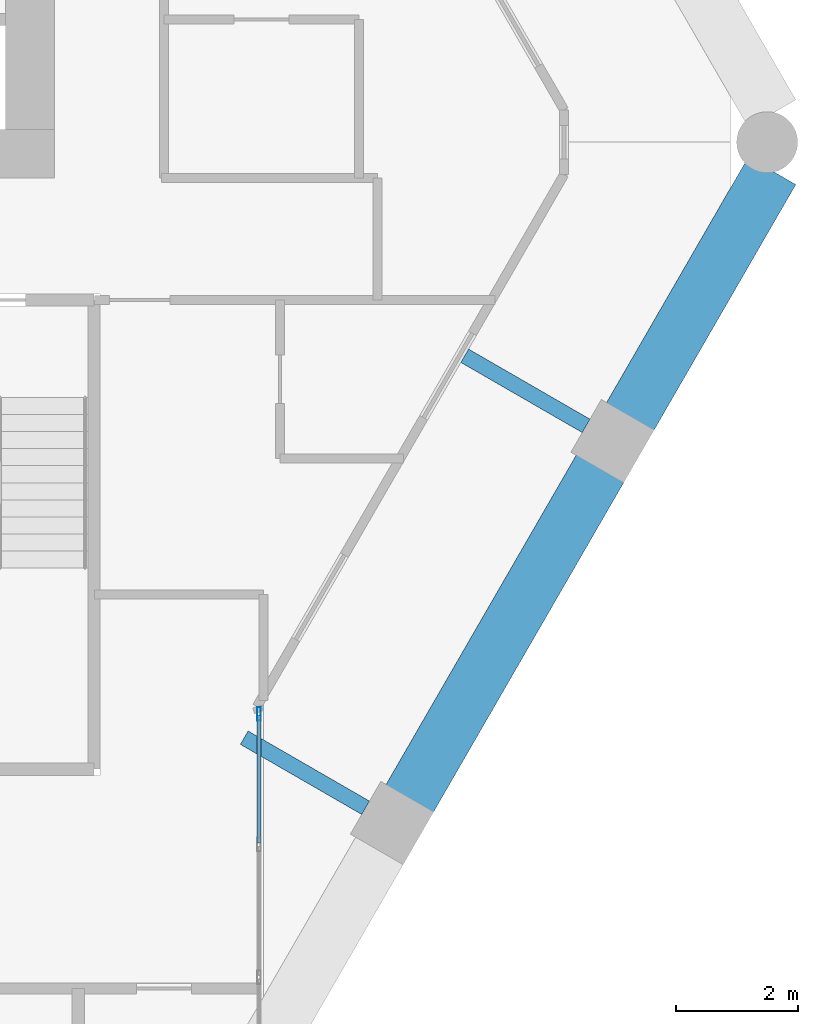
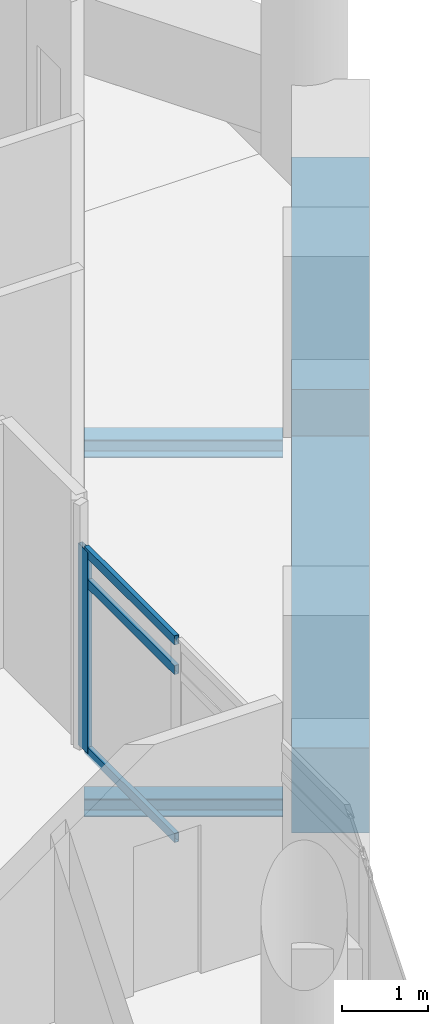
# One storey, part 11 of 29: 4 beams, 4 members, 1 element without a shape of its own.
"""IFC4 building model written with IfcOpenShell, lengths in metres."""

from ifc_helpers import new_model, si_unit, direction, frame, origin, origin_2d, place, context, subcontext, project, spatial, rectangle, hollow_rectangle, i_section, extrude, material, material_profile, profile_set, type_object, element, aggregate, save


model = new_model("IFC4")

# Units and contexts
model_context = context("Model", 3, precision=1e-05, world=origin(), true_north=direction((0.0, 1.0)))
body_context = subcontext(model_context, "Body", "Model", "MODEL_VIEW")
ifc_project = project(units=[si_unit("LENGTHUNIT", "METRE"), si_unit("AREAUNIT", "SQUARE_METRE"), si_unit("VOLUMEUNIT", "CUBIC_METRE"), si_unit("PLANEANGLEUNIT", "RADIAN"), si_unit("MASSUNIT", "GRAM", prefix="KILO")], contexts=[model_context])

# Site, building, storey
site_placement = place(None, origin())
site = spatial("IfcSite", under=ifc_project, at=site_placement, CompositionType="ELEMENT")
building_placement = place(site_placement, origin())
building = spatial("IfcBuilding", under=site, at=building_placement, Name="Ostrander Bayou Hotel Tower", CompositionType="ELEMENT")
storey_placement = place(building_placement, frame((0.0, 0.0, 205.75)))
storey = spatial("IfcBuildingStorey", under=building, at=storey_placement, Name="L51", CompositionType="ELEMENT", Elevation=205.75)

# Curtain wall, members
ifc_material_1 = material(Name="Aluminium and clear glass", Category="aluminium")
curtain_wall_type = type_object("IfcCurtainWallType", Name="CW-BAR glazed wall", PredefinedType="NOTDEFINED", material=ifc_material_1)
curtain_wall_placement = place(storey_placement, origin())
curtain_wall = element("IfcCurtainWall", 1, at=curtain_wall_placement, inside=storey, type_object=curtain_wall_type, Name="CW-BAR L51:SB4S:W", PredefinedType="NOTDEFINED")
ifc_material_2 = material(Name="Aluminium", Category="aluminium")
ifc_material_profile_1 = material_profile(ifc_material_2, hollow_rectangle(XDim=0.06005859375, YDim=0.219970703125, WallThickness=0.00390625, at=origin_2d()))
ifc_profile_set_1 = profile_set([ifc_material_profile_1], Name="Aluminium")
member_type_1 = type_object("IfcMemberType", Name="CW-BR mullion 60 x 220 mm", PredefinedType="MULLION", material=ifc_profile_set_1)
member_1_placement = place(storey_placement, frame((11.857177734375, -10.49267578125, 0.0), z_axis=(0.0, 0.0, 1.0), x_axis=(1.0, 0.0, 0.0)))
member_1 = element("IfcMember", 2, at=member_1_placement, type_object=member_type_1, Name="CW-BAR mullion 1", PredefinedType="MULLION", context=body_context, shape_type="SweptSolid", body=[
    extrude(hollow_rectangle(XDim=0.06005859375, YDim=0.219970703125, WallThickness=0.00390625, at=origin_2d()), origin(), (0.0, 0.0, 1.0), 2.85009765625),
])
ifc_material_3 = material(Name="Aluminium", Category="aluminium")
ifc_material_profile_2 = material_profile(ifc_material_3, hollow_rectangle(XDim=0.06005859375, YDim=0.1298828125, WallThickness=0.00390625, at=origin_2d()))
ifc_profile_set_2 = profile_set([ifc_material_profile_2], Name="Aluminium")
member_type_2 = type_object("IfcMemberType", Name="CW-BR transom 60 x 130 mm", PredefinedType="USERDEFINED", material=ifc_profile_set_2)
member_2_placement = place(storey_placement, frame((11.857177734375, -10.522705078125, 0.030029296875), z_axis=(0.0, -1.0, 0.0), x_axis=(1.0, 0.0, 0.0)))
member_2 = element("IfcMember", 3, at=member_2_placement, type_object=member_type_2, Name="CW-BAR transom 1.1", ObjectType="TRANSOM", PredefinedType="USERDEFINED", context=body_context, shape_type="SweptSolid", body=[
    extrude(hollow_rectangle(XDim=0.06005859375, YDim=0.1298828125, WallThickness=0.00390625, at=origin_2d()), origin(), (0.0, 0.0, 1.0), 2.086181640625),
])
member_3_placement = place(storey_placement, frame((11.857177734375, -10.522705078125, 2.39990234375), z_axis=(0.0, -1.0, 0.0), x_axis=(1.0, 0.0, 0.0)))
member_3 = element("IfcMember", 4, at=member_3_placement, type_object=member_type_2, Name="CW-BAR transom 1.2", ObjectType="TRANSOM", PredefinedType="USERDEFINED", context=body_context, shape_type="SweptSolid", body=[
    extrude(hollow_rectangle(XDim=0.06005859375, YDim=0.1298828125, WallThickness=0.00390625, at=origin_2d()), origin(), (0.0, 0.0, 1.0), 2.086181640625),
])
member_4_placement = place(storey_placement, frame((11.857177734375, -10.522705078125, 2.820068359375), z_axis=(0.0, -1.0, 0.0), x_axis=(1.0, 0.0, 0.0)))
member_4 = element("IfcMember", 5, at=member_4_placement, type_object=member_type_2, Name="CW-BAR transom 1.3", ObjectType="TRANSOM", PredefinedType="USERDEFINED", context=body_context, shape_type="SweptSolid", body=[
    extrude(hollow_rectangle(XDim=0.06005859375, YDim=0.1298828125, WallThickness=0.00390625, at=origin_2d()), origin(), (0.0, 0.0, 1.0), 2.086181640625),
])
aggregate(curtain_wall, [member_1, member_2, member_3, member_4])

# Beams
ifc_material_4 = material(Name="Steel ASTM A992", Category="steel")
ifc_material_profile_3 = material_profile(ifc_material_4, i_section(OverallWidth=0.25390625, OverallDepth=0.25341796875, WebThickness=0.008544921875, FlangeThickness=0.01416015625, at=origin_2d()))
ifc_profile_set_3 = profile_set([ifc_material_profile_3], Name="Steel ASTM A992")
beam_type_1 = type_object("IfcBeamType", Name="LB2 loggia bracket W10x49", PredefinedType="BEAM", material=ifc_profile_set_3)
beam_1_placement = place(storey_placement, frame((13.606201171875, -12.033203125, -0.4267578125), z_axis=(-0.86602648383, 0.499998129301, 0.0), x_axis=(-0.499998129301, -0.86602648383, 0.0)))
element("IfcBeam", 6, at=beam_1_placement, inside=storey, type_object=beam_type_1, Name="LB2 L51 SE1", PredefinedType="BEAM", context=body_context, shape_type="SweptSolid", body=[
    extrude(i_section(OverallWidth=0.25390625, OverallDepth=0.25341796875, WebThickness=0.008544921875, FlangeThickness=0.01416015625, at=origin_2d()), origin(), (0.0, 0.0, 1.0), 2.2998046875),
])
beam_2_placement = place(storey_placement, frame((17.224365234375, -5.7666015625, -0.4267578125), z_axis=(-0.866053019151, 0.499952165731, 0.0), x_axis=(-0.499952165731, -0.866053019151, 0.0)))
element("IfcBeam", 7, at=beam_2_placement, inside=storey, type_object=beam_type_1, Name="LB2 L51 SE2", PredefinedType="BEAM", context=body_context, shape_type="SweptSolid", body=[
    extrude(i_section(OverallWidth=0.25390625, OverallDepth=0.25341796875, WebThickness=0.008544921875, FlangeThickness=0.01416015625, at=origin_2d()), origin(), (0.0, 0.0, 1.0), 2.300048828125),
])
ifc_material_5 = material(Name="Concrete f'c 60 MPa", Category="concrete")
ifc_material_profile_4 = material_profile(ifc_material_5, rectangle(XDim=0.89990234375, YDim=1.199951171875, at=origin_2d()))
ifc_profile_set_4 = profile_set([ifc_material_profile_4], Name="Concrete f'c 60 MPa")
beam_type_2 = type_object("IfcBeamType", Name="SP3 spandrel beam 900 x 1200 mm f'c 60 MPa", PredefinedType="SPANDREL", material=ifc_profile_set_4)
beam_3_placement = place(storey_placement, frame((14.3173828125, -11.9013671875, -0.60009765625), z_axis=(0.500013351051, 0.866017695414, 0.0), x_axis=(-0.866017695414, 0.500013351051, 0.0)))
element("IfcBeam", 8, at=beam_3_placement, inside=storey, type_object=beam_type_2, Name="SP3 L51 SE-2", PredefinedType="SPANDREL", context=body_context, shape_type="SweptSolid", body=[
    extrude(rectangle(XDim=0.89990234375, YDim=1.199951171875, at=origin_2d()), origin(), (0.0, 0.0, 1.0), 6.296142578125),
])
beam_4_placement = place(storey_placement, frame((17.935546875, -5.634521484375, -0.60009765625), z_axis=(0.500028081597, 0.86600919026, 0.0), x_axis=(-0.86600919026, 0.500028081597, 0.0)))
element("IfcBeam", 9, at=beam_4_placement, inside=storey, type_object=beam_type_2, Name="SP3 L51 SE-3", PredefinedType="SPANDREL", context=body_context, shape_type="SweptSolid", body=[
    extrude(rectangle(XDim=0.89990234375, YDim=1.199951171875, at=origin_2d()), origin(), (0.0, 0.0, 1.0), 4.678955078125),
])

save(model, "model.ifc")
